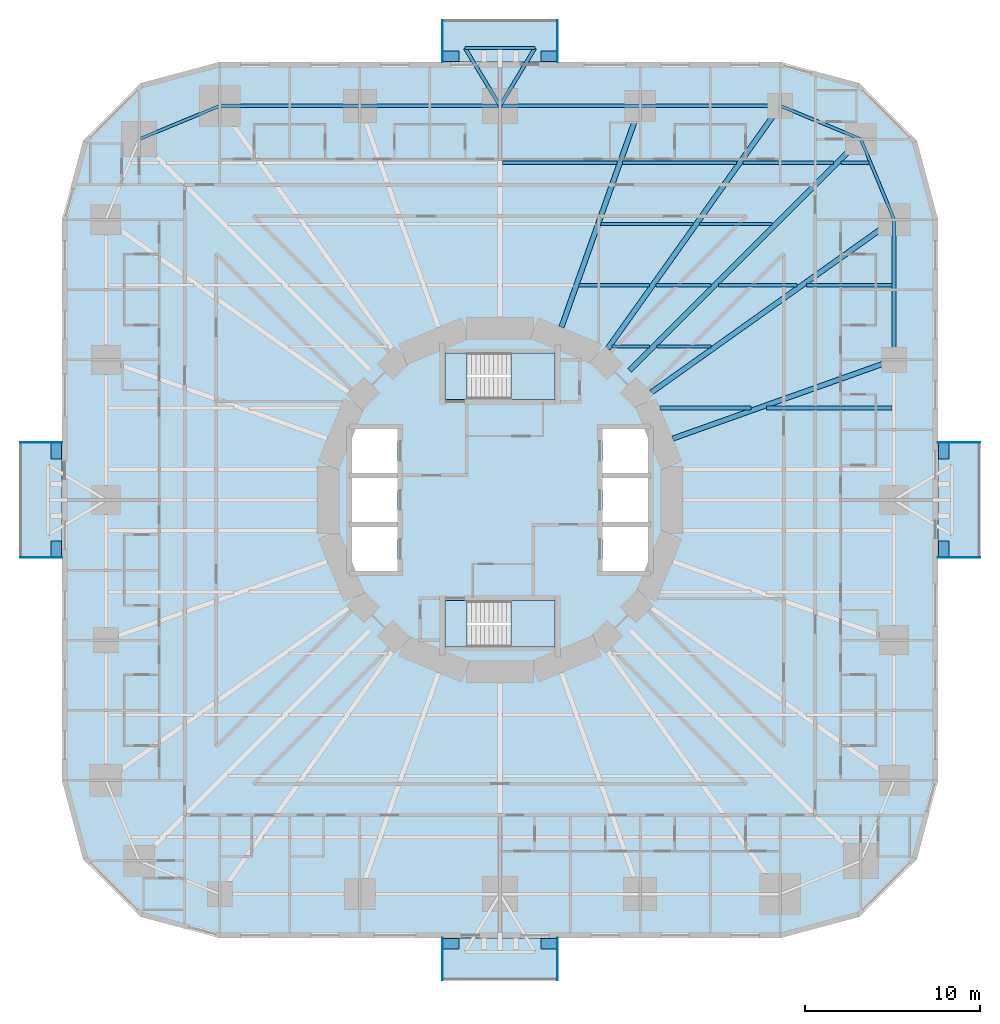
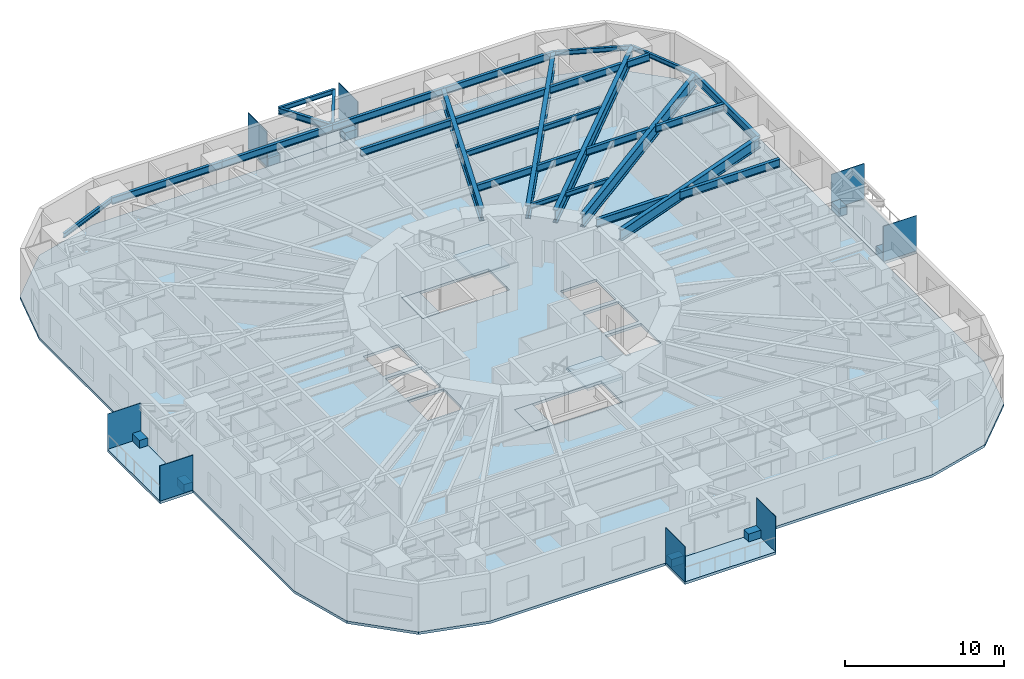
# One storey, part 3 of 14: 30 beams, 16 plates, 9 slabs, 2 elements without a shape of their own.
"""IFC4 building model written with IfcOpenShell, lengths in metres."""

from ifc_helpers import new_model, si_unit, direction, frame, origin, origin_2d, place, context, subcontext, project, spatial, polyline, rectangle, i_section, outline, extrude, material, layer, layer_set, material_profile, profile_set, type_object, element, aggregate, save


model = new_model("IFC4")

# Units and contexts
model_context = context("Model", 3, precision=1e-05, world=origin(), true_north=direction((0.0, 1.0)))
body_context = subcontext(model_context, "Body", "Model", "MODEL_VIEW")
ifc_project = project(units=[si_unit("LENGTHUNIT", "METRE"), si_unit("AREAUNIT", "SQUARE_METRE"), si_unit("VOLUMEUNIT", "CUBIC_METRE"), si_unit("PLANEANGLEUNIT", "RADIAN"), si_unit("MASSUNIT", "GRAM", prefix="KILO")], contexts=[model_context])

# Site, building, storey
site_placement = place(None, origin())
site = spatial("IfcSite", under=ifc_project, at=site_placement, CompositionType="ELEMENT")
building_placement = place(site_placement, origin())
building = spatial("IfcBuilding", under=site, at=building_placement, Name="Nakasero Lantern House", CompositionType="ELEMENT")
storey_placement = place(building_placement, frame((0.0, 0.0, 31.39990234375)))
storey = spatial("IfcBuildingStorey", under=building, at=storey_placement, Name="L07", CompositionType="ELEMENT", Elevation=31.39990234375)

# Beams
ifc_material_1 = material(Name="Steel S355", Category="steel")
ifc_material_profile_1 = material_profile(ifc_material_1, i_section(OverallWidth=0.199462890625, OverallDepth=0.491943359375, WebThickness=0.01806640625, FlangeThickness=0.031982421875, FilletRadius=0.01025390625, at=origin_2d()), Name="UB 457x191x161")
ifc_profile_set_1 = profile_set([ifc_material_profile_1], Name="Steel S355")
beam_type_1 = type_object("IfcBeamType", Name="Balcony splay beam UB 457x191x161", PredefinedType="BEAM", material=ifc_profile_set_1)
for number, where, z_axis, x_axis, name in (
    (1, (0.0, 22.5, 3.404052734375), (-0.518296107317, 0.855201230787, 0.0), (-0.855201230787, -0.518296107317, 0.0), "Balcony splay beam L08 B1-C09A"),
    (2, (0.0, 22.5, 3.404052734375), (0.518296107317, 0.855201230787, 0.0), (-0.855201230787, 0.518296107317, 0.0), "Balcony splay beam L08 B1-C09B"),
):
    element("IfcBeam", number, at=place(storey_placement, frame(where, z_axis=z_axis, x_axis=x_axis)), inside=storey, type_object=beam_type_1, Name=name, PredefinedType="BEAM", context=body_context, shape_type="SweptSolid", body=[
        extrude(i_section(OverallWidth=0.199462890625, OverallDepth=0.491943359375, WebThickness=0.01806640625, FlangeThickness=0.031982421875, FilletRadius=0.01025390625, at=origin_2d()), origin(), (0.0, 0.0, 1.0), 3.85888671875),
    ])
ifc_material_2 = material(Name="Steel S355", Category="steel")
ifc_material_profile_2 = material_profile(ifc_material_2, i_section(OverallWidth=0.17138671875, OverallDepth=0.35498046875, WebThickness=0.00732421875, FlangeThickness=0.011474609375, FilletRadius=0.01025390625, at=origin_2d()), Name="UB 356x171x51")
ifc_profile_set_2 = profile_set([ifc_material_profile_2], Name="Steel S355")
beam_type_2 = type_object("IfcBeamType", Name="Balcony tie beam UB 356x171x51", PredefinedType="BEAM", material=ifc_profile_set_2)
beam_1_placement = place(storey_placement, frame((-2.0, 25.800048828125, 3.47265625), z_axis=(1.0, 0.0, 0.0), x_axis=(0.0, 1.0, 0.0)))
element("IfcBeam", 3, at=beam_1_placement, inside=storey, type_object=beam_type_2, Name="Balcony tie beam L08 B1-C09", PredefinedType="BEAM", context=body_context, shape_type="SweptSolid", body=[
    extrude(i_section(OverallWidth=0.17138671875, OverallDepth=0.35498046875, WebThickness=0.00732421875, FlangeThickness=0.011474609375, FilletRadius=0.01025390625, at=origin_2d()), origin(), (0.0, 0.0, 1.0), 4.0),
])
ifc_material_3 = material(Name="Steel S355", Category="steel")
ifc_material_profile_3 = material_profile(ifc_material_3, i_section(OverallWidth=0.17138671875, OverallDepth=0.35498046875, WebThickness=0.00732421875, FlangeThickness=0.011474609375, FilletRadius=0.01025390625, at=origin_2d()), Name="UB 356x171x51")
ifc_profile_set_3 = profile_set([ifc_material_profile_3], Name="Steel S355")
beam_type_3 = type_object("IfcBeamType", Name="Infill beam UB 356x171x51", PredefinedType="JOIST", material=ifc_profile_set_3)
beam_2_placement = place(storey_placement, frame((6.40625, 8.75, 3.47265625), z_axis=(1.0, 0.0, 0.0), x_axis=(0.0, 1.0, 0.0)))
element("IfcBeam", 4, at=beam_2_placement, inside=storey, type_object=beam_type_3, Name="Infill beam L08 10.3", PredefinedType="JOIST", context=body_context, shape_type="SweptSolid", body=[
    extrude(i_section(OverallWidth=0.17138671875, OverallDepth=0.35498046875, WebThickness=0.00732421875, FlangeThickness=0.011474609375, FilletRadius=0.01025390625, at=origin_2d()), origin(), (0.0, 0.0, 1.0), 2.131591796875),
])
beam_3_placement = place(storey_placement, frame((8.962158203125, 8.75, 3.47265625), z_axis=(1.0, 0.0, 0.0), x_axis=(0.0, 1.0, 0.0)))
element("IfcBeam", 5, at=beam_3_placement, inside=storey, type_object=beam_type_3, Name="Infill beam L08 10.4", PredefinedType="JOIST", context=body_context, shape_type="SweptSolid", body=[
    extrude(i_section(OverallWidth=0.17138671875, OverallDepth=0.35498046875, WebThickness=0.00732421875, FlangeThickness=0.011474609375, FilletRadius=0.01025390625, at=origin_2d()), origin(), (0.0, 0.0, 1.0), 3.083740234375),
])
ifc_material_4 = material(Name="Steel S355", Category="steel")
ifc_material_profile_4 = material_profile(ifc_material_4, i_section(OverallWidth=0.177978515625, OverallDepth=0.406494140625, WebThickness=0.0078125, FlangeThickness=0.0126953125, FilletRadius=0.01025390625, at=origin_2d()), Name="UB 406x178x60")
ifc_profile_set_4 = profile_set([ifc_material_profile_4], Name="Steel S355")
beam_type_4 = type_object("IfcBeamType", Name="Infill beam UB 406x178x60", PredefinedType="JOIST", material=ifc_profile_set_4)
beam_4_placement = place(storey_placement, frame((5.75927734375, 15.75, 3.44677734375), z_axis=(1.0, 0.0, 0.0), x_axis=(0.0, 1.0, 0.0)))
element("IfcBeam", 6, at=beam_4_placement, inside=storey, type_object=beam_type_4, Name="Infill beam L08 12.5", PredefinedType="JOIST", context=body_context, shape_type="SweptSolid", body=[
    extrude(i_section(OverallWidth=0.177978515625, OverallDepth=0.406494140625, WebThickness=0.0078125, FlangeThickness=0.0126953125, FilletRadius=0.01025390625, at=origin_2d()), origin(), (0.0, 0.0, 1.0), 5.256591796875),
])
beam_5_placement = place(storey_placement, frame((11.384033203125, 15.75, 3.44677734375), z_axis=(1.0, 0.0, 0.0), x_axis=(0.0, 1.0, 0.0)))
element("IfcBeam", 7, at=beam_5_placement, inside=storey, type_object=beam_type_4, Name="Infill beam L08 12.6", PredefinedType="JOIST", context=body_context, shape_type="SweptSolid", body=[
    extrude(i_section(OverallWidth=0.177978515625, OverallDepth=0.406494140625, WebThickness=0.0078125, FlangeThickness=0.0126953125, FilletRadius=0.01025390625, at=origin_2d()), origin(), (0.0, 0.0, 1.0), 4.15380859375),
])
ifc_material_5 = material(Name="Steel S355", Category="steel")
ifc_material_profile_5 = material_profile(ifc_material_5, i_section(OverallWidth=0.208740234375, OverallDepth=0.5283203125, WebThickness=0.009521484375, FlangeThickness=0.01318359375, FilletRadius=0.0126953125, at=origin_2d()), Name="UB 533x210x82")
ifc_profile_set_5 = profile_set([ifc_material_profile_5], Name="Steel S355")
beam_type_5 = type_object("IfcBeamType", Name="Infill beam UB 533x210x82", PredefinedType="JOIST", material=ifc_profile_set_5)
beam_6_placement = place(storey_placement, frame((4.5146484375, 12.25, 3.385986328125), z_axis=(1.0, 0.0, 0.0), x_axis=(0.0, 1.0, 0.0)))
element("IfcBeam", 8, at=beam_6_placement, inside=storey, type_object=beam_type_5, Name="Infill beam L08 11.7", PredefinedType="JOIST", context=body_context, shape_type="SweptSolid", body=[
    extrude(i_section(OverallWidth=0.208740234375, OverallDepth=0.5283203125, WebThickness=0.009521484375, FlangeThickness=0.01318359375, FilletRadius=0.0126953125, at=origin_2d()), origin(), (0.0, 0.0, 1.0), 4.012451171875),
])
beam_7_placement = place(storey_placement, frame((8.895263671875, 12.25, 3.385986328125), z_axis=(1.0, 0.0, 0.0), x_axis=(0.0, 1.0, 0.0)))
element("IfcBeam", 9, at=beam_7_placement, inside=storey, type_object=beam_type_5, Name="Infill beam L08 11.8", PredefinedType="JOIST", context=body_context, shape_type="SweptSolid", body=[
    extrude(i_section(OverallWidth=0.208740234375, OverallDepth=0.5283203125, WebThickness=0.009521484375, FlangeThickness=0.01318359375, FilletRadius=0.0126953125, at=origin_2d()), origin(), (0.0, 0.0, 1.0), 3.142578125),
])
beam_8_placement = place(storey_placement, frame((12.462158203125, 12.25, 3.385986328125), z_axis=(1.0, 0.0, 0.0), x_axis=(0.0, 1.0, 0.0)))
element("IfcBeam", 10, at=beam_8_placement, inside=storey, type_object=beam_type_5, Name="Infill beam L08 11.9", PredefinedType="JOIST", context=body_context, shape_type="SweptSolid", body=[
    extrude(i_section(OverallWidth=0.208740234375, OverallDepth=0.5283203125, WebThickness=0.009521484375, FlangeThickness=0.01318359375, FilletRadius=0.0126953125, at=origin_2d()), origin(), (0.0, 0.0, 1.0), 4.505615234375),
])
beam_9_placement = place(storey_placement, frame((17.4853515625, 12.25, 3.385986328125), z_axis=(1.0, 0.0, 0.0), x_axis=(0.0, 1.0, 0.0)))
element("IfcBeam", 11, at=beam_9_placement, inside=storey, type_object=beam_type_5, Name="Infill beam L08 11.10", PredefinedType="JOIST", context=body_context, shape_type="SweptSolid", body=[
    extrude(i_section(OverallWidth=0.208740234375, OverallDepth=0.5283203125, WebThickness=0.009521484375, FlangeThickness=0.01318359375, FilletRadius=0.0126953125, at=origin_2d()), origin(), (0.0, 0.0, 1.0), 4.900146484375),
])
beam_10_placement = place(storey_placement, frame((0.146240234375, 19.25, 3.385986328125), z_axis=(1.0, 0.0, 0.0), x_axis=(0.0, 1.0, 0.0)))
element("IfcBeam", 12, at=beam_10_placement, inside=storey, type_object=beam_type_5, Name="Infill beam L08 13.5", PredefinedType="JOIST", context=body_context, shape_type="SweptSolid", body=[
    extrude(i_section(OverallWidth=0.208740234375, OverallDepth=0.5283203125, WebThickness=0.009521484375, FlangeThickness=0.01318359375, FilletRadius=0.0126953125, at=origin_2d()), origin(), (0.0, 0.0, 1.0), 6.5390625),
])
beam_11_placement = place(storey_placement, frame((7.003662109375, 19.25, 3.385986328125), z_axis=(1.0, 0.0, 0.0), x_axis=(0.0, 1.0, 0.0)))
element("IfcBeam", 13, at=beam_11_placement, inside=storey, type_object=beam_type_5, Name="Infill beam L08 13.6", PredefinedType="JOIST", context=body_context, shape_type="SweptSolid", body=[
    extrude(i_section(OverallWidth=0.208740234375, OverallDepth=0.5283203125, WebThickness=0.009521484375, FlangeThickness=0.01318359375, FilletRadius=0.0126953125, at=origin_2d()), origin(), (0.0, 0.0, 1.0), 6.501220703125),
])
beam_12_placement = place(storey_placement, frame((13.873046875, 19.25, 3.385986328125), z_axis=(1.0, 0.0, 0.0), x_axis=(0.0, 1.0, 0.0)))
element("IfcBeam", 14, at=beam_12_placement, inside=storey, type_object=beam_type_5, Name="Infill beam L08 13.7", PredefinedType="JOIST", context=body_context, shape_type="SweptSolid", body=[
    extrude(i_section(OverallWidth=0.208740234375, OverallDepth=0.5283203125, WebThickness=0.009521484375, FlangeThickness=0.01318359375, FilletRadius=0.0126953125, at=origin_2d()), origin(), (0.0, 0.0, 1.0), 5.164794921875),
])
beam_13_placement = place(storey_placement, frame((19.462158203125, 19.25, 3.385986328125), z_axis=(1.0, 0.0, 0.0), x_axis=(0.0, 1.0, 0.0)))
element("IfcBeam", 15, at=beam_13_placement, inside=storey, type_object=beam_type_5, Name="Infill beam L08 13.8", PredefinedType="JOIST", context=body_context, shape_type="SweptSolid", body=[
    extrude(i_section(OverallWidth=0.208740234375, OverallDepth=0.5283203125, WebThickness=0.009521484375, FlangeThickness=0.01318359375, FilletRadius=0.0126953125, at=origin_2d()), origin(), (0.0, 0.0, 1.0), 1.598876953125),
])
ifc_material_6 = material(Name="Steel S355", Category="steel")
ifc_material_profile_6 = material_profile(ifc_material_6, i_section(OverallWidth=0.2275390625, OverallDepth=0.6025390625, WebThickness=0.010498046875, FlangeThickness=0.014892578125, FilletRadius=0.0126953125, at=origin_2d()), Name="UB 610x229x101")
ifc_profile_set_6 = profile_set([ifc_material_profile_6], Name="Steel S355")
beam_type_6 = type_object("IfcBeamType", Name="Infill beam UB 610x229x101", PredefinedType="JOIST", material=ifc_profile_set_6)
beam_14_placement = place(storey_placement, frame((9.144775390625, 5.25, 3.348876953125), z_axis=(1.0, 0.0, 0.0), x_axis=(0.0, 1.0, 0.0)))
element("IfcBeam", 16, at=beam_14_placement, inside=storey, type_object=beam_type_6, Name="Infill beam L08 09.3", PredefinedType="JOIST", context=body_context, shape_type="SweptSolid", body=[
    extrude(i_section(OverallWidth=0.2275390625, OverallDepth=0.6025390625, WebThickness=0.010498046875, FlangeThickness=0.014892578125, FilletRadius=0.0126953125, at=origin_2d()), origin(), (0.0, 0.0, 1.0), 5.184326171875),
])
beam_15_placement = place(storey_placement, frame((15.2021484375, 5.25, 3.348876953125), z_axis=(1.0, 0.0, 0.0), x_axis=(0.0, 1.0, 0.0)))
element("IfcBeam", 17, at=beam_15_placement, inside=storey, type_object=beam_type_6, Name="Infill beam L08 09.4", PredefinedType="JOIST", context=body_context, shape_type="SweptSolid", body=[
    extrude(i_section(OverallWidth=0.2275390625, OverallDepth=0.6025390625, WebThickness=0.010498046875, FlangeThickness=0.014892578125, FilletRadius=0.0126953125, at=origin_2d()), origin(), (0.0, 0.0, 1.0), 7.183349609375),
])
ifc_material_7 = material(Name="Steel S355", Category="steel")
ifc_material_profile_7 = material_profile(ifc_material_7, i_section(OverallWidth=0.300048828125, OverallDepth=0.97021484375, WebThickness=0.01611328125, FlangeThickness=0.02099609375, FilletRadius=0.030029296875, at=origin_2d()), Name="UB 1016x305x222")
ifc_profile_set_7 = profile_set([ifc_material_profile_7], Name="Steel S355")
beam_type_7 = type_object("IfcBeamType", Name="Primary beam UB 1016x305x222, span 12 to 15 m", PredefinedType="BEAM", material=ifc_profile_set_7)
beam_16_placement = place(storey_placement, frame((8.0, 22.5, 3.1650390625), z_axis=(-0.335010745293, -0.942214307118, 0.0), x_axis=(0.942214307118, -0.335010745293, 0.0)))
element("IfcBeam", 18, at=beam_16_placement, inside=storey, type_object=beam_type_7, Name="Primary beam L08 B1-C08", PredefinedType="BEAM", context=body_context, shape_type="SweptSolid", body=[
    extrude(i_section(OverallWidth=0.300048828125, OverallDepth=0.97021484375, WebThickness=0.01611328125, FlangeThickness=0.02099609375, FilletRadius=0.030029296875, at=origin_2d()), origin(), (0.0, 0.0, 1.0), 13.408447265625),
])
ifc_material_8 = material(Name="Steel S355", Category="steel")
ifc_material_profile_8 = material_profile(ifc_material_8, i_section(OverallWidth=0.300048828125, OverallDepth=0.989990234375, WebThickness=0.0166015625, FlangeThickness=0.031005859375, FilletRadius=0.030029296875, at=origin_2d()), Name="UB 1016x305x272")
ifc_profile_set_8 = profile_set([ifc_material_profile_8], Name="Steel S355")
beam_type_8 = type_object("IfcBeamType", Name="Primary beam UB 1016x305x272, span over 15 m", PredefinedType="BEAM", material=ifc_profile_set_8)
beam_17_placement = place(storey_placement, frame((22.5, 16.0, 3.155029296875), z_axis=(-0.814952159915, -0.579528236629, 0.0), x_axis=(0.579528236629, -0.814952159915, 0.0)))
element("IfcBeam", 19, at=beam_17_placement, inside=storey, type_object=beam_type_8, Name="Primary beam L08 B1-C05", PredefinedType="BEAM", context=body_context, shape_type="SweptSolid", body=[
    extrude(i_section(OverallWidth=0.300048828125, OverallDepth=0.989990234375, WebThickness=0.0166015625, FlangeThickness=0.031005859375, FilletRadius=0.030029296875, at=origin_2d()), origin(), (0.0, 0.0, 1.0), 17.003173828125),
])
beam_18_placement = place(storey_placement, frame((20.59619140625, 20.59619140625, 3.155029296875), z_axis=(-0.707106781187, -0.707106781187, 0.0), x_axis=(0.707106781187, -0.707106781187, 0.0)))
element("IfcBeam", 20, at=beam_18_placement, inside=storey, type_object=beam_type_8, Name="Primary beam L08 B1-C06", PredefinedType="BEAM", context=body_context, shape_type="SweptSolid", body=[
    extrude(i_section(OverallWidth=0.300048828125, OverallDepth=0.989990234375, WebThickness=0.0166015625, FlangeThickness=0.031005859375, FilletRadius=0.030029296875, at=origin_2d()), origin(), (0.0, 0.0, 1.0), 18.669677734375),
])
ifc_material_9 = material(Name="Steel S355", Category="steel")
ifc_material_profile_9 = material_profile(ifc_material_9, i_section(OverallWidth=0.300048828125, OverallDepth=1.0, WebThickness=0.01904296875, FlangeThickness=0.035888671875, FilletRadius=0.030029296875, at=origin_2d()), Name="UB 1016x305x314")
ifc_profile_set_9 = profile_set([ifc_material_profile_9], Name="Steel S355")
beam_type_9 = type_object("IfcBeamType", Name="Primary beam UB 1016x305x314, span over 15 m", PredefinedType="BEAM", material=ifc_profile_set_9)
beam_19_placement = place(storey_placement, frame((16.0, 22.5, 3.150146484375), z_axis=(-0.579528236629, -0.814952159915, 0.0), x_axis=(0.814952159915, -0.579528236629, 0.0)))
element("IfcBeam", 21, at=beam_19_placement, inside=storey, type_object=beam_type_9, Name="Primary beam L08 B1-C07", PredefinedType="BEAM", context=body_context, shape_type="SweptSolid", body=[
    extrude(i_section(OverallWidth=0.300048828125, OverallDepth=1.0, WebThickness=0.01904296875, FlangeThickness=0.035888671875, FilletRadius=0.030029296875, at=origin_2d()), origin(), (0.0, 0.0, 1.0), 17.003173828125),
])
ifc_material_10 = material(Name="Steel S355", Category="steel")
ifc_material_profile_10 = material_profile(ifc_material_10, i_section(OverallWidth=0.29248046875, OverallDepth=0.8408203125, WebThickness=0.0146484375, FlangeThickness=0.02685546875, FilletRadius=0.017822265625, at=origin_2d()), Name="UB 838x292x194")
ifc_profile_set_10 = profile_set([ifc_material_profile_10], Name="Steel S355")
beam_type_10 = type_object("IfcBeamType", Name="Primary beam UB 838x292x194, span 12 to 15 m", PredefinedType="BEAM", material=ifc_profile_set_10)
beam_20_placement = place(storey_placement, frame((22.5, 8.0, 3.229736328125), z_axis=(-0.942214307118, -0.335010745293, 0.0), x_axis=(0.335010745293, -0.942214307118, 0.0)))
element("IfcBeam", 22, at=beam_20_placement, inside=storey, type_object=beam_type_10, Name="Primary beam L08 B1-C04", PredefinedType="BEAM", context=body_context, shape_type="SweptSolid", body=[
    extrude(i_section(OverallWidth=0.29248046875, OverallDepth=0.8408203125, WebThickness=0.0146484375, FlangeThickness=0.02685546875, FilletRadius=0.017822265625, at=origin_2d()), origin(), (0.0, 0.0, 1.0), 13.408447265625),
])
ifc_material_11 = material(Name="Steel S355", Category="steel")
ifc_material_profile_11 = material_profile(ifc_material_11, i_section(OverallWidth=0.17138671875, OverallDepth=0.35498046875, WebThickness=0.00732421875, FlangeThickness=0.011474609375, FilletRadius=0.01025390625, at=origin_2d()), Name="UB 356x171x51")
ifc_profile_set_11 = profile_set([ifc_material_profile_11], Name="Steel S355")
beam_type_11 = type_object("IfcBeamType", Name="Ring beam UB 356x171x51", PredefinedType="BEAM", material=ifc_profile_set_11)
for number, where, z_axis, x_axis, name in (
    (23, (22.5, 16.0, 3.47265625), (-0.382684080569, 0.923879264016, 0.0), (-0.923879264016, -0.382684080569, 0.0), "Ring beam L08 B1-C05"),
    (24, (20.59619140625, 20.59619140625, 3.47265625), (-0.923879264016, 0.382684080569, 0.0), (-0.382684080569, -0.923879264016, 0.0), "Ring beam L08 B1-C06"),
    (25, (-16.0, 22.5, 3.47265625), (-0.923879264016, -0.382684080569, 0.0), (0.382684080569, -0.923879264016, 0.0), "Ring beam L08 B1-C11"),
):
    element("IfcBeam", number, at=place(storey_placement, frame(where, z_axis=z_axis, x_axis=x_axis)), inside=storey, type_object=beam_type_11, Name=name, PredefinedType="BEAM", context=body_context, shape_type="SweptSolid", body=[
        extrude(i_section(OverallWidth=0.17138671875, OverallDepth=0.35498046875, WebThickness=0.00732421875, FlangeThickness=0.011474609375, FilletRadius=0.01025390625, at=origin_2d()), origin(), (0.0, 0.0, 1.0), 4.974853515625),
    ])
ifc_material_12 = material(Name="Steel S355", Category="steel")
ifc_material_profile_12 = material_profile(ifc_material_12, i_section(OverallWidth=0.2099609375, OverallDepth=0.53662109375, WebThickness=0.0107421875, FlangeThickness=0.017333984375, FilletRadius=0.0126953125, at=origin_2d()), Name="UB 533x210x101")
ifc_profile_set_12 = profile_set([ifc_material_profile_12], Name="Steel S355")
beam_type_12 = type_object("IfcBeamType", Name="Ring beam UB 533x210x101", PredefinedType="BEAM", material=ifc_profile_set_12)
for number, where, z_axis, x_axis, name in (
    (26, (16.0, 22.5, 3.3818359375), (-1.0, 0.0, 0.0), (0.0, -1.0, 0.0), "Ring beam L08 B1-C07"),
    (27, (8.0, 22.5, 3.3818359375), (-1.0, 0.0, 0.0), (0.0, -1.0, 0.0), "Ring beam L08 B1-C08"),
    (28, (0.0, 22.5, 3.3818359375), (-1.0, 0.0, 0.0), (0.0, -1.0, 0.0), "Ring beam L08 B1-C09"),
    (29, (-8.0, 22.5, 3.3818359375), (-1.0, 0.0, 0.0), (0.0, -1.0, 0.0), "Ring beam L08 B1-C10"),
):
    element("IfcBeam", number, at=place(storey_placement, frame(where, z_axis=z_axis, x_axis=x_axis)), inside=storey, type_object=beam_type_12, Name=name, PredefinedType="BEAM", context=body_context, shape_type="SweptSolid", body=[
        extrude(i_section(OverallWidth=0.2099609375, OverallDepth=0.53662109375, WebThickness=0.0107421875, FlangeThickness=0.017333984375, FilletRadius=0.0126953125, at=origin_2d()), origin(), (0.0, 0.0, 1.0), 8.0),
    ])
ifc_material_13 = material(Name="Steel S355", Category="steel")
ifc_material_profile_13 = material_profile(ifc_material_13, i_section(OverallWidth=0.22900390625, OverallDepth=0.6123046875, WebThickness=0.011962890625, FlangeThickness=0.01953125, FilletRadius=0.0126953125, at=origin_2d()), Name="UB 610x229x125")
ifc_profile_set_13 = profile_set([ifc_material_profile_13], Name="Steel S355")
beam_type_13 = type_object("IfcBeamType", Name="Ring beam UB 610x229x125", PredefinedType="BEAM", material=ifc_profile_set_13)
beam_21_placement = place(storey_placement, frame((22.5, 8.0, 3.343994140625), z_axis=(0.0, 1.0, 0.0), x_axis=(-1.0, 0.0, 0.0)))
element("IfcBeam", 30, at=beam_21_placement, inside=storey, type_object=beam_type_13, Name="Ring beam L08 B1-C04", PredefinedType="BEAM", context=body_context, shape_type="SweptSolid", body=[
    extrude(i_section(OverallWidth=0.22900390625, OverallDepth=0.6123046875, WebThickness=0.011962890625, FlangeThickness=0.01953125, FilletRadius=0.0126953125, at=origin_2d()), origin(), (0.0, 0.0, 1.0), 8.0),
])

# Plates
ifc_material_14 = material(Name="Aluminium 6063-T6", Category="aluminium")
ifc_layer_1 = layer(ifc_material_14, 0.60009765625)
ifc_layer_set_1 = layer_set([ifc_layer_1], Name="Balcony planter 600x900")
plate_type_1 = type_object("IfcPlateType", Name="Balcony planter 600x900", PredefinedType="USERDEFINED", material=ifc_layer_set_1)
for number, where, z_axis, x_axis, name in (
    (31, (25.320068359375, -2.7900390625, 0.0), (0.0, 0.0, 1.0), (1.0, 0.0, 0.0), "Balcony PLANTER L07 BAL0A"),
    (32, (25.320068359375, 2.7900390625, 0.0), (0.0, 0.0, 1.0), (1.0, 0.0, 0.0), "Balcony PLANTER L07 BAL0B"),
    (33, (2.7900390625, 25.320068359375, 0.0), (0.0, 0.0, 1.0), (0.0, 1.0, 0.0), "Balcony PLANTER L07 BAL1A"),
    (34, (-2.7900390625, 25.320068359375, 0.0), (0.0, 0.0, 1.0), (0.0, 1.0, 0.0), "Balcony PLANTER L07 BAL1B"),
    (35, (-25.320068359375, 2.7900390625, 0.0), (0.0, 0.0, 1.0), (-1.0, 0.0, 0.0), "Balcony PLANTER L07 BAL2A"),
    (36, (-25.320068359375, -2.7900390625, 0.0), (0.0, 0.0, 1.0), (-1.0, 0.0, 0.0), "Balcony PLANTER L07 BAL2B"),
    (37, (-2.7900390625, -25.320068359375, 0.0), (0.0, 0.0, 1.0), (0.0, -1.0, 0.0), "Balcony PLANTER L07 BAL3A"),
    (38, (2.7900390625, -25.320068359375, 0.0), (0.0, 0.0, 1.0), (0.0, -1.0, 0.0), "Balcony PLANTER L07 BAL3B"),
):
    element("IfcPlate", number, at=place(storey_placement, frame(where, z_axis=z_axis, x_axis=x_axis)), inside=storey, type_object=plate_type_1, Name=name, ObjectType="PLANTER", PredefinedType="USERDEFINED", context=body_context, shape_type="SweptSolid", body=[
        extrude(rectangle(XDim=0.60009765625, YDim=0.89990234375, at=origin_2d()), origin(), (0.0, 0.0, 1.0), 0.60009765625),
    ])
ifc_material_15 = material(Name="Aluminium 6063-T6", Category="aluminium")
ifc_layer_2 = layer(ifc_material_15, 0.0400390625)
ifc_layer_set_2 = layer_set([ifc_layer_2], Name="Balcony screen 2400x2700")
plate_type_2 = type_object("IfcPlateType", Name="Balcony screen 2400x2700", PredefinedType="SHEET", material=ifc_layer_set_2)
for number, where, z_axis, x_axis, name in (
    (39, (26.199951171875, -3.280029296875, 0.0), (0.0, 0.0, 1.0), (1.0, 0.0, 0.0), "Balcony SCREEN L07 BAL0A"),
    (40, (26.199951171875, 3.280029296875, 0.0), (0.0, 0.0, 1.0), (1.0, 0.0, 0.0), "Balcony SCREEN L07 BAL0B"),
    (41, (3.280029296875, 26.199951171875, 0.0), (0.0, 0.0, 1.0), (0.0, 1.0, 0.0), "Balcony SCREEN L07 BAL1A"),
    (42, (-3.280029296875, 26.199951171875, 0.0), (0.0, 0.0, 1.0), (0.0, 1.0, 0.0), "Balcony SCREEN L07 BAL1B"),
    (43, (-26.199951171875, 3.280029296875, 0.0), (0.0, 0.0, 1.0), (-1.0, 0.0, 0.0), "Balcony SCREEN L07 BAL2A"),
    (44, (-26.199951171875, -3.280029296875, 0.0), (0.0, 0.0, 1.0), (-1.0, 0.0, 0.0), "Balcony SCREEN L07 BAL2B"),
    (45, (-3.280029296875, -26.199951171875, 0.0), (0.0, 0.0, 1.0), (0.0, -1.0, 0.0), "Balcony SCREEN L07 BAL3A"),
    (46, (3.280029296875, -26.199951171875, 0.0), (0.0, 0.0, 1.0), (0.0, -1.0, 0.0), "Balcony SCREEN L07 BAL3B"),
):
    element("IfcPlate", number, at=place(storey_placement, frame(where, z_axis=z_axis, x_axis=x_axis)), inside=storey, type_object=plate_type_2, Name=name, PredefinedType="SHEET", context=body_context, shape_type="SweptSolid", body=[
        extrude(rectangle(XDim=2.39990234375, YDim=0.0400390625, at=origin_2d()), origin(), (0.0, 0.0, 1.0), 2.699951171875),
    ])

# Slabs
ifc_material_16 = material(Name="Concrete C35/45", Category="concrete")
ifc_layer_3 = layer(ifc_material_16, 0.199951171875)
ifc_layer_set_3 = layer_set([ifc_layer_3], Name="Balcony slab 200")
slab_type_1 = type_object("IfcSlabType", Name="Balcony slab 200", PredefinedType="USERDEFINED", material=ifc_layer_set_3)
slab_1_placement = place(storey_placement, frame((0.0, 0.0, -0.199951171875)))
element("IfcSlab", 47, at=slab_1_placement, inside=storey, type_object=slab_type_1, Name="Balcony L07 BAL0", ObjectType="BALCONY", PredefinedType="USERDEFINED", context=body_context, shape_type="SweptSolid", body=[
    extrude(outline(polyline([(25.0, -3.300048828125), (27.39990234375, -3.300048828125), (27.39990234375, 3.300048828125), (25.0, 3.300048828125), (25.0, -3.300048828125)])), origin(), (0.0, 0.0, 1.0), 0.199951171875),
])
slab_2_placement = place(storey_placement, frame((0.0, 0.0, -0.199951171875)))
element("IfcSlab", 48, at=slab_2_placement, inside=storey, type_object=slab_type_1, Name="Balcony L07 BAL1", ObjectType="BALCONY", PredefinedType="USERDEFINED", context=body_context, shape_type="SweptSolid", body=[
    extrude(outline(polyline([(3.300048828125, 25.0), (3.300048828125, 27.39990234375), (-3.300048828125, 27.39990234375), (-3.300048828125, 25.0), (3.300048828125, 25.0)])), origin(), (0.0, 0.0, 1.0), 0.199951171875),
])
slab_3_placement = place(storey_placement, frame((0.0, 0.0, -0.199951171875)))
element("IfcSlab", 49, at=slab_3_placement, inside=storey, type_object=slab_type_1, Name="Balcony L07 BAL2", ObjectType="BALCONY", PredefinedType="USERDEFINED", context=body_context, shape_type="SweptSolid", body=[
    extrude(outline(polyline([(-25.0, 3.300048828125), (-27.39990234375, 3.300048828125), (-27.39990234375, -3.300048828125), (-25.0, -3.300048828125), (-25.0, 3.300048828125)])), origin(), (0.0, 0.0, 1.0), 0.199951171875),
])
slab_4_placement = place(storey_placement, frame((0.0, 0.0, -0.199951171875)))
element("IfcSlab", 50, at=slab_4_placement, inside=storey, type_object=slab_type_1, Name="Balcony L07 BAL3", ObjectType="BALCONY", PredefinedType="USERDEFINED", context=body_context, shape_type="SweptSolid", body=[
    extrude(outline(polyline([(-3.300048828125, -25.0), (-3.300048828125, -27.39990234375), (3.300048828125, -27.39990234375), (3.300048828125, -25.0), (-3.300048828125, -25.0)])), origin(), (0.0, 0.0, 1.0), 0.199951171875),
])
ifc_material_17 = material(Name="Concrete C35/45", Category="concrete")
ifc_layer_4 = layer(ifc_material_17, 0.199951171875)
ifc_layer_set_4 = layer_set([ifc_layer_4], Name="Composite floor slab 200")
slab_type_2 = type_object("IfcSlabType", Name="Composite floor slab 200", PredefinedType="FLOOR", material=ifc_layer_set_4)
slab_5_placement = place(storey_placement, frame((0.0, 0.0, -0.199951171875)))
element("IfcSlab", 51, at=slab_5_placement, inside=storey, type_object=slab_type_2, Name="Floor slab L07", PredefinedType="FLOOR", context=body_context, shape_type="SweptSolid", body=[
    extrude(outline(polyline([(25.0, 16.0), (23.794189453125, 20.5), (20.5, 23.794189453125), (16.0, 25.0), (-16.0, 25.0), (-20.5, 23.794189453125), (-23.794189453125, 20.5), (-25.0, 16.0), (-25.0, -16.0), (-23.794189453125, -20.5), (-20.5, -23.794189453125), (-16.0, -25.0), (16.0, -25.0), (20.5, -23.794189453125), (23.794189453125, -20.5), (25.0, -16.0), (25.0, 16.0)]), holes=[polyline([(-8.449951171875, -4.050048828125), (-5.85009765625, -4.050048828125), (-5.85009765625, -1.550048828125), (-8.449951171875, -1.550048828125), (-8.449951171875, -4.050048828125)]), polyline([(-8.449951171875, -1.25), (-5.85009765625, -1.25), (-5.85009765625, 1.25), (-8.449951171875, 1.25), (-8.449951171875, -1.25)]), polyline([(-8.449951171875, 1.550048828125), (-5.85009765625, 1.550048828125), (-5.85009765625, 4.050048828125), (-8.449951171875, 4.050048828125), (-8.449951171875, 1.550048828125)]), polyline([(5.85009765625, -4.050048828125), (8.449951171875, -4.050048828125), (8.449951171875, -1.550048828125), (5.85009765625, -1.550048828125), (5.85009765625, -4.050048828125)]), polyline([(5.85009765625, -1.25), (8.449951171875, -1.25), (8.449951171875, 1.25), (5.85009765625, 1.25), (5.85009765625, -1.25)]), polyline([(5.85009765625, 1.550048828125), (8.449951171875, 1.550048828125), (8.449951171875, 4.050048828125), (5.85009765625, 4.050048828125), (5.85009765625, 1.550048828125)]), polyline([(-3.14990234375, 5.75), (3.14990234375, 5.75), (3.14990234375, 8.39990234375), (-3.14990234375, 8.39990234375), (-3.14990234375, 5.75)]), polyline([(-3.14990234375, -8.39990234375), (3.14990234375, -8.39990234375), (3.14990234375, -5.75), (-3.14990234375, -5.75), (-3.14990234375, -8.39990234375)])]), origin(), (0.0, 0.0, 1.0), 0.199951171875),
])

# Stair, slabs
ifc_material_18 = material(Name="Concrete C40/50", Category="concrete")
stair_type_1 = type_object("IfcStairType", Name="Escape stair ST1 22 risers", PredefinedType="HALF_TURN_STAIR", material=ifc_material_18)
stair_1_placement = place(storey_placement, origin())
stair_1 = element("IfcStair", 52, at=stair_1_placement, inside=storey, type_object=stair_type_1, Name="Escape stair ST1 L07", PredefinedType="HALF_TURN_STAIR")
ifc_material_19 = material(Name="Concrete C40/50", Category="concrete")
ifc_layer_5 = layer(ifc_material_19, 0.199951171875)
ifc_layer_set_5 = layer_set([ifc_layer_5], Name="Stair landing 200")
slab_type_3 = type_object("IfcSlabType", Name="Stair landing 200", PredefinedType="LANDING", material=ifc_layer_set_5)
slab_6_placement = place(storey_placement, frame((0.0, 0.0, -0.199951171875)))
slab_6 = element("IfcSlab", 53, at=slab_6_placement, type_object=slab_type_3, Name="ST1 landing 1", PredefinedType="LANDING", context=body_context, shape_type="SweptSolid", body=[
    extrude(outline(polyline([(-3.14990234375, 5.75), (-1.875, 5.75), (-1.875, 8.39990234375), (-3.14990234375, 8.39990234375), (-3.14990234375, 5.75)])), origin(), (0.0, 0.0, 1.0), 0.199951171875),
])
slab_7_placement = place(storey_placement, frame((0.0, 0.0, 1.72509765625)))
slab_7 = element("IfcSlab", 54, at=slab_7_placement, type_object=slab_type_3, Name="ST1 landing 2", PredefinedType="LANDING", context=body_context, shape_type="SweptSolid", body=[
    extrude(outline(polyline([(0.625, 5.75), (3.14990234375, 5.75), (3.14990234375, 8.39990234375), (0.625, 8.39990234375), (0.625, 5.75)])), origin(), (0.0, 0.0, 1.0), 0.199951171875),
])
aggregate(stair_1, [slab_6, slab_7])

ifc_material_20 = material(Name="Concrete C40/50", Category="concrete")
stair_type_2 = type_object("IfcStairType", Name="Escape stair ST2 22 risers", PredefinedType="HALF_TURN_STAIR", material=ifc_material_20)
stair_2_placement = place(storey_placement, origin())
stair_2 = element("IfcStair", 55, at=stair_2_placement, inside=storey, type_object=stair_type_2, Name="Escape stair ST2 L07", PredefinedType="HALF_TURN_STAIR")
slab_8_placement = place(storey_placement, frame((0.0, 0.0, -0.199951171875)))
slab_8 = element("IfcSlab", 56, at=slab_8_placement, type_object=slab_type_3, Name="ST2 landing 1", PredefinedType="LANDING", context=body_context, shape_type="SweptSolid", body=[
    extrude(outline(polyline([(-3.14990234375, -8.39990234375), (-1.875, -8.39990234375), (-1.875, -5.75), (-3.14990234375, -5.75), (-3.14990234375, -8.39990234375)])), origin(), (0.0, 0.0, 1.0), 0.199951171875),
])
slab_9_placement = place(storey_placement, frame((0.0, 0.0, 1.72509765625)))
slab_9 = element("IfcSlab", 57, at=slab_9_placement, type_object=slab_type_3, Name="ST2 landing 2", PredefinedType="LANDING", context=body_context, shape_type="SweptSolid", body=[
    extrude(outline(polyline([(0.625, -8.39990234375), (3.14990234375, -8.39990234375), (3.14990234375, -5.75), (0.625, -5.75), (0.625, -8.39990234375)])), origin(), (0.0, 0.0, 1.0), 0.199951171875),
])
aggregate(stair_2, [slab_8, slab_9])

save(model, "model.ifc")
